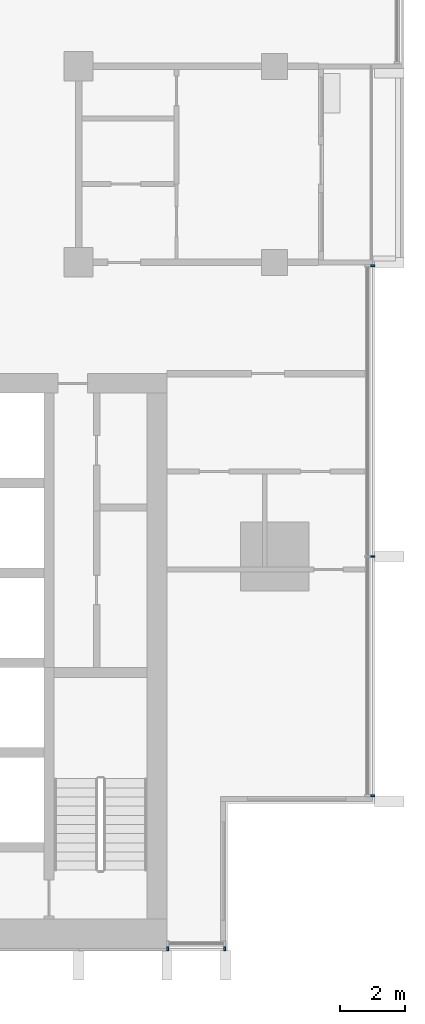
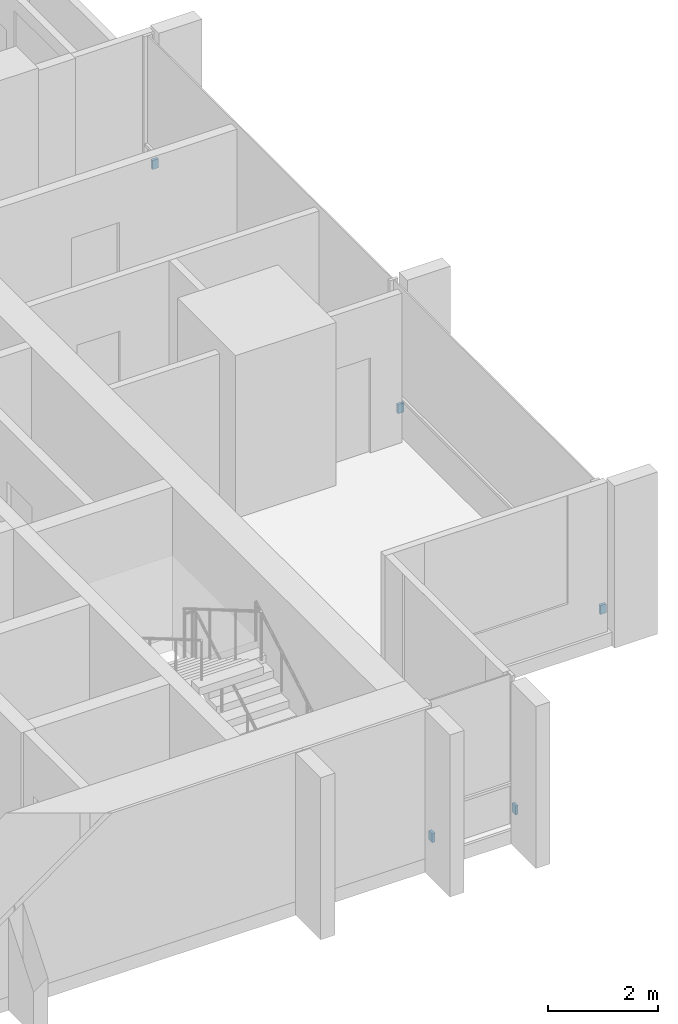
# One storey, part 13 of 16: 5 discrete accessories.
"""IFC4 building model written with IfcOpenShell, lengths in metres."""

import ifcopenshell
import ifcopenshell.guid

model = None  # the IFC model being written
_history = None  # IfcOwnerHistory: only IFC2X3 demands one
_inside = {}  # id of a spatial element -> (the spatial element, [elements in it])
_under = {}  # id of a project, library or spatial element -> (it, [spatial elements below it])
_declared = {}  # id of a project -> (the project, [libraries it declares])
_typed = {}  # id of a type object -> (the type object, [elements of that type])
_made_of = {}  # id of a material, layer set ... -> (it, [elements and type objects made of it])


def new_model(schema):
    """Start an empty IFC model of exactly this schema.

    Asked for "IFC4X3", IfcOpenShell would pick the latest addendum, in which some entities
    have other attributes; the version numbers below select the first issue.
    IFC2X3 requires an IfcOwnerHistory on every rooted entity: one is made here for all.
    """
    global model, _history
    if schema == "IFC4X3":
        model = ifcopenshell.file(schema_version=(4, 3, 0, 0))
    else:
        model = ifcopenshell.file(schema=schema)
    _inside.clear()
    _under.clear()
    _declared.clear()
    _typed.clear()
    _made_of.clear()
    _history = None
    if model.schema == "IFC2X3":
        org = make("IfcOrganization", Name="unknown")
        user = make(
            "IfcPersonAndOrganization",
            ThePerson=make("IfcPerson", FamilyName="unknown"),
            TheOrganization=org,
        )
        app = make(
            "IfcApplication",
            ApplicationDeveloper=org,
            Version="unknown",
            ApplicationFullName="unknown",
            ApplicationIdentifier="unknown",
        )
        _history = make(
            "IfcOwnerHistory",
            OwningUser=user,
            OwningApplication=app,
            ChangeAction="ADDED",
            CreationDate=0,
        )
    return model


def make(cls, **values):
    """One entity of the class cls with the attributes given. An attribute that is None is left unset."""
    return model.create_entity(
        cls, **{name: value for name, value in values.items() if value is not None}
    )


def rooted(cls, **values):
    """An entity with a GlobalId (a new one), such as an element, a storey or a relation."""
    return make(cls, GlobalId=ifcopenshell.guid.new(), OwnerHistory=_history, **values)


def si_unit(unit_type, name, prefix=None):
    """IfcSIUnit, for example si_unit("LENGTHUNIT", "METRE", prefix="MILLI")."""
    return make("IfcSIUnit", UnitType=unit_type, Prefix=prefix, Name=name)


def assignment(units):
    """IfcUnitAssignment: the units of a project."""
    return None if units is None else make("IfcUnitAssignment", Units=units)


def point(xyz):
    """IfcCartesianPoint."""
    return None if xyz is None else make("IfcCartesianPoint", Coordinates=xyz)


def direction(xyz):
    """IfcDirection."""
    return None if xyz is None else make("IfcDirection", DirectionRatios=xyz)


def frame(location, z_axis=None, x_axis=None):
    """IfcAxis2Placement3D, a coordinate frame: its origin and axes. An axis left out is left unset."""
    return make(
        "IfcAxis2Placement3D",
        Location=point(location),
        Axis=direction(z_axis),
        RefDirection=direction(x_axis),
    )


def frame_2d(location, x_axis=None):
    """IfcAxis2Placement2D, a coordinate frame in the plane: its origin and x axis."""
    return make(
        "IfcAxis2Placement2D", Location=point(location), RefDirection=direction(x_axis)
    )


def origin():
    """The frame at (0, 0, 0) with its axes left unset."""
    return frame((0.0, 0.0, 0.0))


def origin_2d():
    """The frame at (0, 0) in the plane with its x axis left unset."""
    return frame_2d((0.0, 0.0))


def place(relative_to, where):
    """IfcLocalPlacement: puts the frame where relative to a parent placement (None: the world)."""
    return make(
        "IfcLocalPlacement", PlacementRelTo=relative_to, RelativePlacement=where
    )


def context(
    kind, dimensions, precision=None, world=None, true_north=None, identifier=None
):
    """IfcGeometricRepresentationContext, for example the 3D "Model" context."""
    return make(
        "IfcGeometricRepresentationContext",
        ContextIdentifier=identifier,
        ContextType=kind,
        CoordinateSpaceDimension=dimensions,
        Precision=precision,
        WorldCoordinateSystem=world,
        TrueNorth=true_north,
    )


def subcontext(parent, identifier, kind, view, scale=None):
    """IfcGeometricRepresentationSubContext, for example "Body" below "Model"."""
    return make(
        "IfcGeometricRepresentationSubContext",
        ContextIdentifier=identifier,
        ContextType=kind,
        ParentContext=parent,
        TargetScale=scale,
        TargetView=view,
    )


def project(units=None, contexts=None):
    """IfcProject with its units and contexts."""
    return rooted(
        "IfcProject",
        Name="project",
        RepresentationContexts=contexts,
        UnitsInContext=assignment(units),
    )


def spatial(cls, under=None, at=None, **own):
    """A site, building, storey or space (cls), placed at a placement, below another one or the project."""
    s = rooted(cls, ObjectPlacement=at, **own)
    if under is not None:
        _under.setdefault(under.id(), (under, []))[1].append(s)
    return s


def profile(cls, at=None, kind="AREA", **sizes):
    """A parametric profile (cls). Its sizes go by their IFC names, for example OverallWidth=200.0."""
    return make(cls, ProfileType=kind, Position=at, **sizes)


def rectangle(**sizes):
    """IfcRectangleProfileDef."""
    return profile("IfcRectangleProfileDef", **sizes)


def extrude(swept, where, along, depth):
    """IfcExtrudedAreaSolid: the profile swept, set in the frame where, extruded along a direction by depth."""
    return make(
        "IfcExtrudedAreaSolid",
        SweptArea=swept,
        Position=where,
        ExtrudedDirection=direction(along),
        Depth=depth,
    )


def shape(context_of_items, identifier, shape_type, items):
    """IfcShapeRepresentation: the items that make up one representation, for example the "Body"."""
    return make(
        "IfcShapeRepresentation",
        ContextOfItems=context_of_items,
        RepresentationIdentifier=identifier,
        RepresentationType=shape_type,
        Items=items,
    )


def material(Name=None, Category=None):
    """IfcMaterial."""
    return make("IfcMaterial", Name=Name, Category=Category)


def made_of(thing, what):
    """Note that an element or type object is made of a material, layer set ...; save() writes the relation."""
    if what is not None:
        _made_of.setdefault(what.id(), (what, []))[1].append(thing)
    return thing


def type_object(cls, material=None, **own):
    """A type object (cls), such as IfcWallType, which elements share."""
    return made_of(rooted(cls, **own), material)


def element(
    cls,
    number,
    at=None,
    inside=None,
    cuts=None,
    type_object=None,
    material=None,
    context=None,
    identifier="Body",
    shape_type=None,
    held_by="IfcProductDefinitionShape",
    body=None,
    shapes=None,
    **own,
):
    """One element of the class cls, such as IfcWall. Its Tag is "e" and its number.

    at: its placement. inside: the storey or other place that contains it. cuts: it is an
    opening in that element (IfcRelVoidsElement). A single representation is given by context,
    identifier, shape_type and body (its items); several are given by shapes. held_by: the class
    of the entity that holds the representations. save() writes the other relations.
    """
    e = rooted(cls, Tag="e%d" % number, ObjectPlacement=at, **own)
    if body is not None:
        shapes = [shape(context, identifier, shape_type, body)]
    if shapes is not None:
        e.Representation = make(held_by, Representations=shapes)
    if inside is not None:
        _inside.setdefault(inside.id(), (inside, []))[1].append(e)
    if cuts is not None:
        rooted(
            "IfcRelVoidsElement", RelatingBuildingElement=cuts, RelatedOpeningElement=e
        )
    if type_object is not None:
        _typed.setdefault(type_object.id(), (type_object, []))[1].append(e)
    return made_of(e, material)


def aggregate(whole, parts):
    """IfcRelAggregates: a whole, such as a stair, and the parts it consists of."""
    return rooted("IfcRelAggregates", RelatingObject=whole, RelatedObjects=parts)


def save(model, path):
    """Write the relations noted so far, then the file.

    IfcRelAggregates (storeys below a building ...), IfcRelContainedInSpatialStructure (elements
    in a storey), IfcRelDefinesByType, IfcRelAssociatesMaterial and IfcRelDeclares: one each for
    every whole, place, type object, material and project.
    """
    for whole, parts in _under.values():
        aggregate(whole, parts)
    for where, things in _inside.values():
        rooted(
            "IfcRelContainedInSpatialStructure",
            RelatedElements=things,
            RelatingStructure=where,
        )
    for kind, things in _typed.values():
        rooted("IfcRelDefinesByType", RelatedObjects=things, RelatingType=kind)
    for what, things in _made_of.values():
        rooted("IfcRelAssociatesMaterial", RelatedObjects=things, RelatingMaterial=what)
    for by, libraries in _declared.values():
        rooted("IfcRelDeclares", RelatingContext=by, RelatedDefinitions=libraries)
    model.write(path)


model = new_model("IFC4")

# Units and contexts
model_context = context("Model", 3, precision=1e-05, world=origin(), true_north=direction((0.0, 1.0)))
body_context = subcontext(model_context, "Body", "Model", "MODEL_VIEW")
ifc_project = project(units=[si_unit("LENGTHUNIT", "METRE"), si_unit("AREAUNIT", "SQUARE_METRE"), si_unit("VOLUMEUNIT", "CUBIC_METRE"), si_unit("PLANEANGLEUNIT", "RADIAN"), si_unit("MASSUNIT", "GRAM", prefix="KILO")], contexts=[model_context])

# Site, building, storey
site_placement = place(None, origin())
site = spatial("IfcSite", under=ifc_project, at=site_placement, CompositionType="ELEMENT")
building_placement = place(site_placement, origin())
building = spatial("IfcBuilding", under=site, at=building_placement, Name="Finial Court Residences", CompositionType="ELEMENT")
storey_placement = place(building_placement, frame((0.0, 0.0, 208.699951171875)))
storey = spatial("IfcBuildingStorey", under=building, at=storey_placement, Name="L52", CompositionType="ELEMENT", Elevation=208.699951171875)

# Discrete accessories
ifc_material = material(Name="Stainless steel 316", Category="steel")
discrete_accessory_type = type_object("IfcDiscreteAccessoryType", Name="Fin bracket, stainless steel 60 x 122 x 200", PredefinedType="BRACKET", material=ifc_material)
for number, where, z_axis, x_axis, name in (
    (1, (19.498779296875, -20.820068359375, 0.30029296875), (0.0, 0.0, 1.0), (1.0, 0.0, 0.0), "E-L52-FIN-E7-BRK"),
    (2, (19.498779296875, -13.5, 0.30029296875), (0.0, 0.0, 1.0), (1.0, 0.0, 0.0), "E-L52-FIN-E8-BRK"),
    (3, (19.498779296875, -4.60498046875, 0.30029296875), (0.0, 0.0, 1.0), (1.0, 0.0, 0.0), "E-L52-FIN-E9-BRK"),
):
    element("IfcDiscreteAccessory", number, at=place(storey_placement, frame(where, z_axis=z_axis, x_axis=x_axis)), inside=storey, type_object=discrete_accessory_type, Name=name, PredefinedType="BRACKET", context=body_context, shape_type="SweptSolid", body=[
        extrude(rectangle(XDim=0.12255859375, YDim=0.06005859375, at=origin_2d()), origin(), (0.0, 0.0, 1.0), 0.199951171875),
    ])
for number, where, z_axis, x_axis, name in (
    (4, (13.22998046875, -25.498779296875, 0.30029296875), (0.0, 0.0, 1.0), (1.0, 0.0, 0.0), "E-L52-FIN-S19-BRK"),
    (5, (14.969970703125, -25.498779296875, 0.30029296875), (0.0, 0.0, 1.0), (1.0, 0.0, 0.0), "E-L52-FIN-S20-BRK"),
):
    element("IfcDiscreteAccessory", number, at=place(storey_placement, frame(where, z_axis=z_axis, x_axis=x_axis)), inside=storey, type_object=discrete_accessory_type, Name=name, PredefinedType="BRACKET", context=body_context, shape_type="SweptSolid", body=[
        extrude(rectangle(XDim=0.06005859375, YDim=0.12255859375, at=origin_2d()), origin(), (0.0, 0.0, 1.0), 0.199951171875),
    ])

save(model, "model.ifc")
